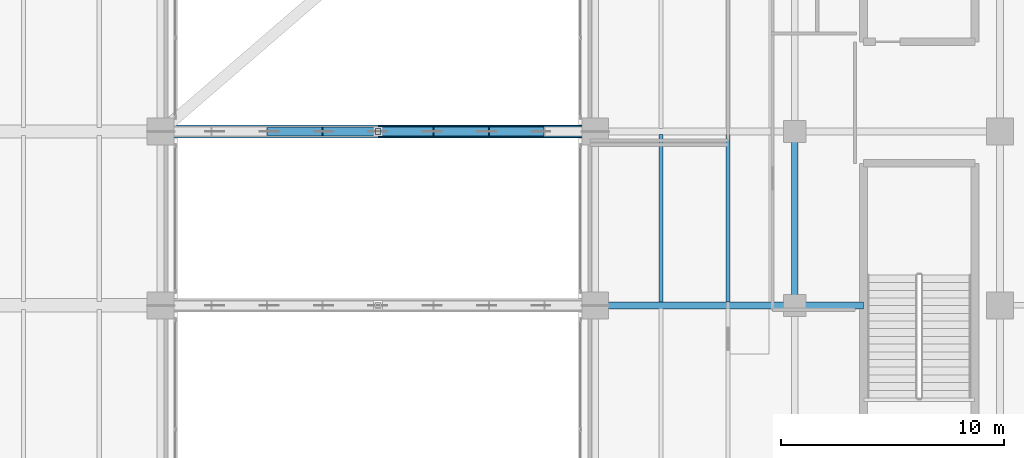
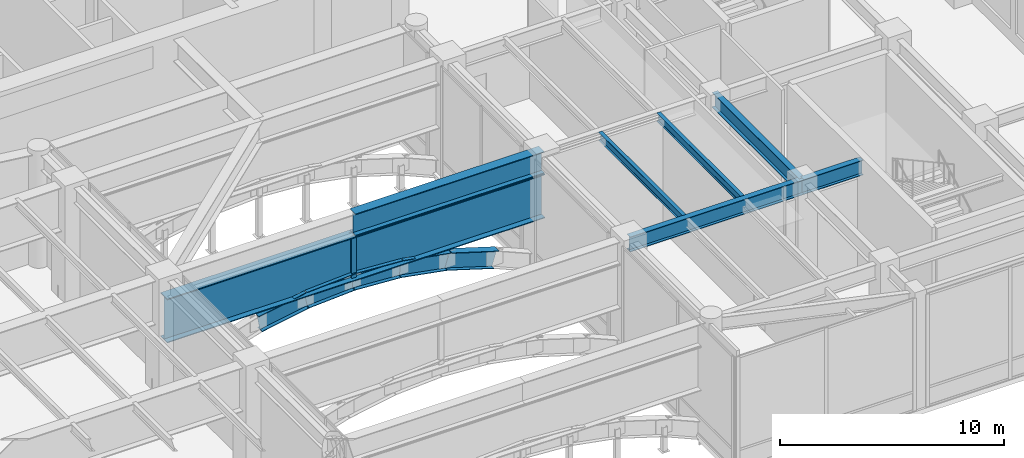
# One storey, part 23 of 50: 12 beams, 1 member.
"""IFC4 building model written with IfcOpenShell, lengths in metres."""

from ifc_helpers import new_model, si_unit, direction, frame, origin, origin_2d, place, context, subcontext, project, spatial, hollow_rectangle, i_section, extrude, source, transform, mapped, material, material_profile, profile_set, type_object, type_shapes, element, save


model = new_model("IFC4")

# Units and contexts
model_context = context("Model", 3, precision=1e-05, world=origin(), true_north=direction((0.0, 1.0)))
body_context = subcontext(model_context, "Body", "Model", "MODEL_VIEW")
ifc_project = project(units=[si_unit("LENGTHUNIT", "METRE"), si_unit("AREAUNIT", "SQUARE_METRE"), si_unit("VOLUMEUNIT", "CUBIC_METRE"), si_unit("PLANEANGLEUNIT", "RADIAN"), si_unit("MASSUNIT", "GRAM", prefix="KILO")], contexts=[model_context])

# Site, building, storey
site_placement = place(None, origin())
site = spatial("IfcSite", under=ifc_project, at=site_placement, CompositionType="ELEMENT")
building_placement = place(site_placement, origin())
building = spatial("IfcBuilding", under=site, at=building_placement, Name="Tolvann Quenvar Hotel", CompositionType="ELEMENT")
storey_placement = place(building_placement, frame((0.0, 0.0, 16.0)))
storey = spatial("IfcBuildingStorey", under=building, at=storey_placement, Name="L03", CompositionType="ELEMENT", Elevation=16.0)

# Beams
ifc_material_1 = material(Name="Steel Grade 350", Category="steel")
ifc_material_profile_1 = material_profile(ifc_material_1, i_section(OverallWidth=0.300048828125, OverallDepth=0.81591796875, WebThickness=0.010009765625, FlangeThickness=0.028076171875, at=origin_2d()), Name="800WB192")
ifc_profile_set_1 = profile_set([ifc_material_profile_1], Name="Steel Grade 350")
beam_type_1 = type_object("IfcBeamType", Name="BM_GIRD_800WB192", PredefinedType="BEAM", material=ifc_profile_set_1)
shared_shape_1 = source(origin(), body_context, "Body", "SweptSolid", [
    extrude(i_section(OverallWidth=0.300048828125, OverallDepth=0.81591796875, WebThickness=0.010009765625, FlangeThickness=0.028076171875, at=origin_2d()), origin(), (0.0, 0.0, 1.0), 7.800048828125),
])
beam_1_placement = place(storey_placement, frame((47.199951171875, 8.199951171875, 5.73193359375), z_axis=(0.0, 1.0, 0.0), x_axis=(-1.0, 0.0, 0.0)))
element("IfcBeam", 1, at=beam_1_placement, inside=storey, type_object=beam_type_1, Name="BM-L03-NS-H-1", PredefinedType="BEAM", context=body_context, shape_type="MappedRepresentation", body=[
    mapped(shared_shape_1, transform((0.0, 0.0, 0.0), x_axis=(1.0, 0.0, 0.0), y_axis=(0.0, 1.0, 0.0), z_axis=(0.0, 0.0, 1.0), scale=1.0)),
])
ifc_material_profile_2 = material_profile(ifc_material_1, i_section(OverallWidth=0.5, OverallDepth=1.199951171875, WebThickness=0.01611328125, FlangeThickness=0.0400390625, at=origin_2d()), Name="1200WB455")
ifc_profile_set_2 = profile_set([ifc_material_profile_2], Name="Steel Grade 350")
beam_type_2 = type_object("IfcBeamType", Name="BM_TG_1200WB455", PredefinedType="USERDEFINED", material=ifc_profile_set_2)
shared_shape_2 = source(origin(), body_context, "Body", "SweptSolid", [
    extrude(i_section(OverallWidth=0.5, OverallDepth=1.199951171875, WebThickness=0.01611328125, FlangeThickness=0.0400390625, at=origin_2d()), origin(), (0.0, 0.0, 1.0), 9.75),
])
type_shapes(beam_type_2, [shared_shape_2])
beam_2_placement = place(storey_placement, frame((28.5, 16.0, 5.5400390625), z_axis=(1.0, 0.0, 0.0), x_axis=(0.0, 1.0, 0.0)))
element("IfcBeam", 2, at=beam_2_placement, inside=storey, type_object=beam_type_2, Name="TG-AUTO2-L03-PARCH3-3", ObjectType="TRANSFER GIRDER", PredefinedType="USERDEFINED", context=body_context, shape_type="MappedRepresentation", body=[
    mapped(shared_shape_2, transform((0.0, 0.0, 0.0), x_axis=(1.0, 0.0, 0.0), y_axis=(0.0, 1.0, 0.0), z_axis=(0.0, 0.0, 1.0), scale=1.0)),
])
shared_shape_3 = source(origin(), body_context, "Body", "SweptSolid", [
    extrude(i_section(OverallWidth=0.300048828125, OverallDepth=0.81591796875, WebThickness=0.010009765625, FlangeThickness=0.028076171875, at=origin_2d()), origin(), (0.0, 0.0, 1.0), 8.949951171875),
])
beam_3_placement = place(storey_placement, frame((38.25, 8.199951171875, 5.73193359375), z_axis=(1.0, 0.0, 0.0), x_axis=(0.0, 1.0, 0.0)))
element("IfcBeam", 3, at=beam_3_placement, inside=storey, type_object=beam_type_1, Name="BM-L03-GE1-2", PredefinedType="BEAM", context=body_context, shape_type="MappedRepresentation", body=[
    mapped(shared_shape_3, transform((0.0, 0.0, 0.0), x_axis=(1.0, 0.0, 0.0), y_axis=(0.0, 1.0, 0.0), z_axis=(0.0, 0.0, 1.0), scale=1.0)),
])
ifc_material_profile_3 = material_profile(ifc_material_1, i_section(OverallWidth=0.18994140625, OverallDepth=0.4541015625, WebThickness=0.008544921875, FlangeThickness=0.0126953125, FilletRadius=0.011474609375, at=origin_2d()), Name="460UB67")
ifc_profile_set_3 = profile_set([ifc_material_profile_3], Name="Steel Grade 350")
beam_type_3 = type_object("IfcBeamType", Name="BM_JOIST_460UB67", PredefinedType="JOIST", material=ifc_profile_set_3)
shared_shape_4 = source(origin(), body_context, "Body", "SweptSolid", [
    extrude(i_section(OverallWidth=0.18994140625, OverallDepth=0.4541015625, WebThickness=0.008544921875, FlangeThickness=0.0126953125, FilletRadius=0.011474609375, at=origin_2d()), origin(), (0.0, 0.0, 1.0), 7.511962890625),
])
type_shapes(beam_type_3, [shared_shape_4])
for number, where, z_axis, x_axis, name in (
    (4, (41.199951171875, 8.343994140625, 5.9130859375), (0.0, 1.0, 0.0), (-1.0, 0.0, 0.0), "BJ-L03-412-82"),
    (5, (44.199951171875, 8.343994140625, 5.9130859375), (0.0, 1.0, 0.0), (-1.0, 0.0, 0.0), "BJ-L03-442-82"),
):
    element("IfcBeam", number, at=place(storey_placement, frame(where, z_axis=z_axis, x_axis=x_axis)), inside=storey, type_object=beam_type_3, Name=name, PredefinedType="JOIST", context=body_context, shape_type="MappedRepresentation", body=[
        mapped(shared_shape_4, transform((0.0, 0.0, 0.0), x_axis=(1.0, 0.0, 0.0), y_axis=(0.0, 1.0, 0.0), z_axis=(0.0, 0.0, 1.0), scale=1.0)),
    ])
shared_shape_5 = source(origin(), body_context, "Body", "SweptSolid", [
    extrude(i_section(OverallWidth=0.300048828125, OverallDepth=0.81591796875, WebThickness=0.010009765625, FlangeThickness=0.028076171875, at=origin_2d()), origin(), (0.0, 0.0, 1.0), 3.074951171875),
])
type_shapes(beam_type_1, [shared_shape_1, shared_shape_3, shared_shape_5])
beam_4_placement = place(storey_placement, frame((47.199951171875, 8.199951171875, 5.73193359375), z_axis=(1.0, 0.0, 0.0), x_axis=(0.0, 1.0, 0.0)))
element("IfcBeam", 6, at=beam_4_placement, inside=storey, type_object=beam_type_1, Name="BM-L03-GE2-2", PredefinedType="BEAM", context=body_context, shape_type="MappedRepresentation", body=[
    mapped(shared_shape_5, transform((0.0, 0.0, 0.0), x_axis=(1.0, 0.0, 0.0), y_axis=(0.0, 1.0, 0.0), z_axis=(0.0, 0.0, 1.0), scale=1.0)),
])
ifc_material_profile_4 = material_profile(ifc_material_1, i_section(OverallWidth=0.60009765625, OverallDepth=2.39990234375, WebThickness=0.02001953125, FlangeThickness=0.044921875, at=origin_2d()), Name="2400WB655")
ifc_profile_set_4 = profile_set([ifc_material_profile_4], Name="Steel Grade 350")
beam_type_4 = type_object("IfcBeamType", Name="BM_TG_2400WB655", PredefinedType="USERDEFINED", material=ifc_profile_set_4)
shared_shape_6 = source(origin(), body_context, "Body", "SweptSolid", [
    extrude(i_section(OverallWidth=0.60009765625, OverallDepth=2.39990234375, WebThickness=0.02001953125, FlangeThickness=0.044921875, at=origin_2d()), origin(), (0.0, 0.0, 1.0), 19.5),
])
type_shapes(beam_type_4, [shared_shape_6])
beam_5_placement = place(storey_placement, frame((18.75, 16.0, 3.739990234375), z_axis=(1.0, 0.0, 0.0), x_axis=(0.0, 1.0, 0.0)))
element("IfcBeam", 7, at=beam_5_placement, inside=storey, type_object=beam_type_4, Name="BM-L03-ACAR-3", ObjectType="TRANSFER GIRDER", PredefinedType="USERDEFINED", context=body_context, shape_type="MappedRepresentation", body=[
    mapped(shared_shape_6, transform((0.0, 0.0, 0.0), x_axis=(1.0, 0.0, 0.0), y_axis=(0.0, 1.0, 0.0), z_axis=(0.0, 0.0, 1.0), scale=1.0)),
])
ifc_material_profile_5 = material_profile(ifc_material_1, i_section(OverallWidth=0.39990234375, OverallDepth=0.916015625, WebThickness=0.011962890625, FlangeThickness=0.028076171875, at=origin_2d()), Name="900WB257")
ifc_profile_set_5 = profile_set([ifc_material_profile_5], Name="Steel Grade 350")
beam_type_5 = type_object("IfcBeamType", Name="BM_ARCH_900WB257", PredefinedType="USERDEFINED", material=ifc_profile_set_5)
shared_shape_7 = source(origin(), body_context, "Body", "SweptSolid", [
    extrude(i_section(OverallWidth=0.39990234375, OverallDepth=0.916015625, WebThickness=0.011962890625, FlangeThickness=0.028076171875, at=origin_2d()), origin(), (0.0, 0.0, 1.0), 2.55029296875),
])
beam_6_placement = place(storey_placement, frame((33.375, 16.0, 1.800048828125), z_axis=(0.955779008722, 0.0, -0.294085848838), x_axis=(0.0, 1.0, 0.0)))
element("IfcBeam", 8, at=beam_6_placement, inside=storey, type_object=beam_type_5, Name="Podium Parabolic Arch Rib F3-S7", ObjectType="ARCH RIB", PredefinedType="USERDEFINED", context=body_context, shape_type="MappedRepresentation", body=[
    mapped(shared_shape_7, transform((0.0, 0.0, 0.0), x_axis=(1.0, 0.0, 0.0), y_axis=(0.0, 1.0, 0.0), z_axis=(0.0, 0.0, 1.0), scale=1.0)),
])
shared_shape_8 = source(origin(), body_context, "Body", "SweptSolid", [
    extrude(i_section(OverallWidth=0.39990234375, OverallDepth=0.916015625, WebThickness=0.011962890625, FlangeThickness=0.028076171875, at=origin_2d()), origin(), (0.0, 0.0, 1.0), 2.478759765625),
])
for number, where, z_axis, x_axis, name in (
    (9, (23.625, 16.0, 1.800048828125), (0.983385697118, 0.0, 0.181528429466), (0.0, 1.0, 0.0), "Podium Parabolic Arch Rib F3-S3"),
    (10, (30.9375, 16.0, 2.25), (0.983385697118, 0.0, -0.181528429466), (0.0, 1.0, 0.0), "Podium Parabolic Arch Rib F3-S6"),
):
    element("IfcBeam", number, at=place(storey_placement, frame(where, z_axis=z_axis, x_axis=x_axis)), inside=storey, type_object=beam_type_5, Name=name, ObjectType="ARCH RIB", PredefinedType="USERDEFINED", context=body_context, shape_type="MappedRepresentation", body=[
        mapped(shared_shape_8, transform((0.0, 0.0, 0.0), x_axis=(1.0, 0.0, 0.0), y_axis=(0.0, 1.0, 0.0), z_axis=(0.0, 0.0, 1.0), scale=1.0)),
    ])
shared_shape_9 = source(origin(), body_context, "Body", "SweptSolid", [
    extrude(i_section(OverallWidth=0.39990234375, OverallDepth=0.916015625, WebThickness=0.011962890625, FlangeThickness=0.028076171875, at=origin_2d()), origin(), (0.0, 0.0, 1.0), 2.442138671875),
])
type_shapes(beam_type_5, [shared_shape_7, shared_shape_8, shared_shape_9])
for number, where, z_axis, x_axis, name in (
    (11, (26.0625, 16.0, 2.25), (0.998114320678, 0.0, 0.06138243118), (0.0, 1.0, 0.0), "Podium Parabolic Arch Rib F3-S4"),
    (12, (28.5, 16.0, 2.39990234375), (0.998114320678, 0.0, -0.06138243118), (0.0, 1.0, 0.0), "Podium Parabolic Arch Rib F3-S5"),
):
    element("IfcBeam", number, at=place(storey_placement, frame(where, z_axis=z_axis, x_axis=x_axis)), inside=storey, type_object=beam_type_5, Name=name, ObjectType="ARCH RIB", PredefinedType="USERDEFINED", context=body_context, shape_type="MappedRepresentation", body=[
        mapped(shared_shape_9, transform((0.0, 0.0, 0.0), x_axis=(1.0, 0.0, 0.0), y_axis=(0.0, 1.0, 0.0), z_axis=(0.0, 0.0, 1.0), scale=1.0)),
    ])

# Member
ifc_material_2 = material(Name="Steel Grade 450 (C450L0)", Category="steel")
ifc_material_profile_6 = material_profile(ifc_material_2, hollow_rectangle(XDim=0.25, YDim=0.25, WallThickness=0.010009765625, at=origin_2d()), Name="250x250x10SHS")
ifc_profile_set_6 = profile_set([ifc_material_profile_6], Name="Steel Grade 450 (C450L0)")
member_type = type_object("IfcMemberType", Name="MEM_POST_250SHS", PredefinedType="POST", material=ifc_profile_set_6)
shared_shape_10 = source(origin(), body_context, "Body", "SweptSolid", [
    extrude(hollow_rectangle(XDim=0.25, YDim=0.25, WallThickness=0.010009765625, at=origin_2d()), origin(), (0.0, 0.0, 1.0), 2.5400390625),
])
type_shapes(member_type, [shared_shape_10])
member_placement = place(storey_placement, frame((28.5, 16.0, 2.39990234375), z_axis=(0.0, 0.0, 1.0), x_axis=(1.0, 0.0, 0.0)))
element("IfcMember", 13, at=member_placement, inside=storey, type_object=member_type, Name="Arch Crown Spandrel Post F3", PredefinedType="POST", context=body_context, shape_type="MappedRepresentation", body=[
    mapped(shared_shape_10, transform((0.0, 0.0, 0.0), x_axis=(1.0, 0.0, 0.0), y_axis=(0.0, 1.0, 0.0), z_axis=(0.0, 0.0, 1.0), scale=1.0)),
])

save(model, "model.ifc")
